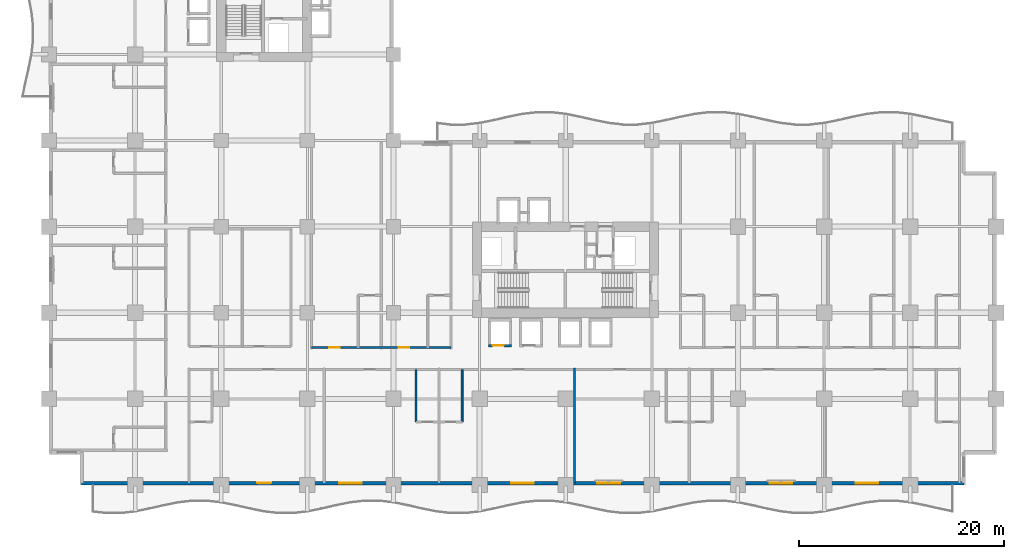
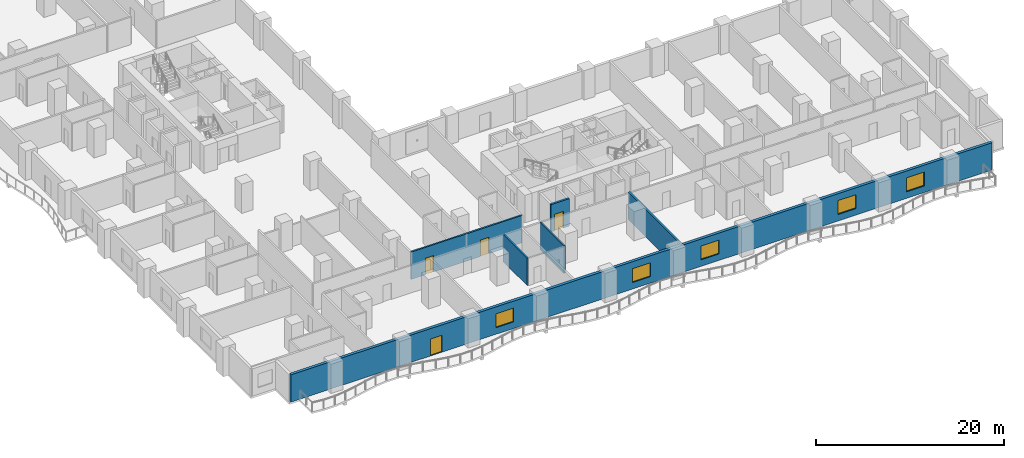
# One storey, part 5 of 22: 6 walls, 5 windows, 4 doors, 9 openings.
"""IFC4 building model written with IfcOpenShell, lengths in metres."""

import ifcopenshell
import ifcopenshell.guid

model = None  # the IFC model being written
_history = None  # IfcOwnerHistory: only IFC2X3 demands one
_inside = {}  # id of a spatial element -> (the spatial element, [elements in it])
_under = {}  # id of a project, library or spatial element -> (it, [spatial elements below it])
_declared = {}  # id of a project -> (the project, [libraries it declares])
_typed = {}  # id of a type object -> (the type object, [elements of that type])
_made_of = {}  # id of a material, layer set ... -> (it, [elements and type objects made of it])


def new_model(schema):
    """Start an empty IFC model of exactly this schema.

    Asked for "IFC4X3", IfcOpenShell would pick the latest addendum, in which some entities
    have other attributes; the version numbers below select the first issue.
    IFC2X3 requires an IfcOwnerHistory on every rooted entity: one is made here for all.
    """
    global model, _history
    if schema == "IFC4X3":
        model = ifcopenshell.file(schema_version=(4, 3, 0, 0))
    else:
        model = ifcopenshell.file(schema=schema)
    _inside.clear()
    _under.clear()
    _declared.clear()
    _typed.clear()
    _made_of.clear()
    _history = None
    if model.schema == "IFC2X3":
        org = make("IfcOrganization", Name="unknown")
        user = make(
            "IfcPersonAndOrganization",
            ThePerson=make("IfcPerson", FamilyName="unknown"),
            TheOrganization=org,
        )
        app = make(
            "IfcApplication",
            ApplicationDeveloper=org,
            Version="unknown",
            ApplicationFullName="unknown",
            ApplicationIdentifier="unknown",
        )
        _history = make(
            "IfcOwnerHistory",
            OwningUser=user,
            OwningApplication=app,
            ChangeAction="ADDED",
            CreationDate=0,
        )
    return model


def make(cls, **values):
    """One entity of the class cls with the attributes given. An attribute that is None is left unset."""
    return model.create_entity(
        cls, **{name: value for name, value in values.items() if value is not None}
    )


def rooted(cls, **values):
    """An entity with a GlobalId (a new one), such as an element, a storey or a relation."""
    return make(cls, GlobalId=ifcopenshell.guid.new(), OwnerHistory=_history, **values)


def si_unit(unit_type, name, prefix=None):
    """IfcSIUnit, for example si_unit("LENGTHUNIT", "METRE", prefix="MILLI")."""
    return make("IfcSIUnit", UnitType=unit_type, Prefix=prefix, Name=name)


def assignment(units):
    """IfcUnitAssignment: the units of a project."""
    return None if units is None else make("IfcUnitAssignment", Units=units)


def point(xyz):
    """IfcCartesianPoint."""
    return None if xyz is None else make("IfcCartesianPoint", Coordinates=xyz)


def direction(xyz):
    """IfcDirection."""
    return None if xyz is None else make("IfcDirection", DirectionRatios=xyz)


def frame(location, z_axis=None, x_axis=None):
    """IfcAxis2Placement3D, a coordinate frame: its origin and axes. An axis left out is left unset."""
    return make(
        "IfcAxis2Placement3D",
        Location=point(location),
        Axis=direction(z_axis),
        RefDirection=direction(x_axis),
    )


def frame_2d(location, x_axis=None):
    """IfcAxis2Placement2D, a coordinate frame in the plane: its origin and x axis."""
    return make(
        "IfcAxis2Placement2D", Location=point(location), RefDirection=direction(x_axis)
    )


def origin():
    """The frame at (0, 0, 0) with its axes left unset."""
    return frame((0.0, 0.0, 0.0))


def place(relative_to, where):
    """IfcLocalPlacement: puts the frame where relative to a parent placement (None: the world)."""
    return make(
        "IfcLocalPlacement", PlacementRelTo=relative_to, RelativePlacement=where
    )


def context(
    kind, dimensions, precision=None, world=None, true_north=None, identifier=None
):
    """IfcGeometricRepresentationContext, for example the 3D "Model" context."""
    return make(
        "IfcGeometricRepresentationContext",
        ContextIdentifier=identifier,
        ContextType=kind,
        CoordinateSpaceDimension=dimensions,
        Precision=precision,
        WorldCoordinateSystem=world,
        TrueNorth=true_north,
    )


def subcontext(parent, identifier, kind, view, scale=None):
    """IfcGeometricRepresentationSubContext, for example "Body" below "Model"."""
    return make(
        "IfcGeometricRepresentationSubContext",
        ContextIdentifier=identifier,
        ContextType=kind,
        ParentContext=parent,
        TargetScale=scale,
        TargetView=view,
    )


def project(units=None, contexts=None):
    """IfcProject with its units and contexts."""
    return rooted(
        "IfcProject",
        Name="project",
        RepresentationContexts=contexts,
        UnitsInContext=assignment(units),
    )


def spatial(cls, under=None, at=None, **own):
    """A site, building, storey or space (cls), placed at a placement, below another one or the project."""
    s = rooted(cls, ObjectPlacement=at, **own)
    if under is not None:
        _under.setdefault(under.id(), (under, []))[1].append(s)
    return s


def profile(cls, at=None, kind="AREA", **sizes):
    """A parametric profile (cls). Its sizes go by their IFC names, for example OverallWidth=200.0."""
    return make(cls, ProfileType=kind, Position=at, **sizes)


def rectangle(**sizes):
    """IfcRectangleProfileDef."""
    return profile("IfcRectangleProfileDef", **sizes)


def extrude(swept, where, along, depth):
    """IfcExtrudedAreaSolid: the profile swept, set in the frame where, extruded along a direction by depth."""
    return make(
        "IfcExtrudedAreaSolid",
        SweptArea=swept,
        Position=where,
        ExtrudedDirection=direction(along),
        Depth=depth,
    )


def shape(context_of_items, identifier, shape_type, items):
    """IfcShapeRepresentation: the items that make up one representation, for example the "Body"."""
    return make(
        "IfcShapeRepresentation",
        ContextOfItems=context_of_items,
        RepresentationIdentifier=identifier,
        RepresentationType=shape_type,
        Items=items,
    )


def material(Name=None, Category=None):
    """IfcMaterial."""
    return make("IfcMaterial", Name=Name, Category=Category)


def layer(
    of_material, thickness, ventilated=None, Name=None, Category=None, Priority=None
):
    """IfcMaterialLayer: one layer of a wall or slab, of a material (None: an air gap)."""
    return make(
        "IfcMaterialLayer",
        Material=of_material,
        LayerThickness=thickness,
        IsVentilated=ventilated,
        Name=Name,
        Category=Category,
        Priority=Priority,
    )


def layer_set(layers, Name=None):
    """IfcMaterialLayerSet."""
    return make("IfcMaterialLayerSet", MaterialLayers=layers, LayerSetName=Name)


def made_of(thing, what):
    """Note that an element or type object is made of a material, layer set ...; save() writes the relation."""
    if what is not None:
        _made_of.setdefault(what.id(), (what, []))[1].append(thing)
    return thing


def type_object(cls, material=None, **own):
    """A type object (cls), such as IfcWallType, which elements share."""
    return made_of(rooted(cls, **own), material)


def element(
    cls,
    number,
    at=None,
    inside=None,
    cuts=None,
    type_object=None,
    material=None,
    context=None,
    identifier="Body",
    shape_type=None,
    held_by="IfcProductDefinitionShape",
    body=None,
    shapes=None,
    **own,
):
    """One element of the class cls, such as IfcWall. Its Tag is "e" and its number.

    at: its placement. inside: the storey or other place that contains it. cuts: it is an
    opening in that element (IfcRelVoidsElement). A single representation is given by context,
    identifier, shape_type and body (its items); several are given by shapes. held_by: the class
    of the entity that holds the representations. save() writes the other relations.
    """
    e = rooted(cls, Tag="e%d" % number, ObjectPlacement=at, **own)
    if body is not None:
        shapes = [shape(context, identifier, shape_type, body)]
    if shapes is not None:
        e.Representation = make(held_by, Representations=shapes)
    if inside is not None:
        _inside.setdefault(inside.id(), (inside, []))[1].append(e)
    if cuts is not None:
        rooted(
            "IfcRelVoidsElement", RelatingBuildingElement=cuts, RelatedOpeningElement=e
        )
    if type_object is not None:
        _typed.setdefault(type_object.id(), (type_object, []))[1].append(e)
    return made_of(e, material)


def fill(opening, filler):
    """IfcRelFillsElement: the door or window that sits in an opening."""
    return rooted(
        "IfcRelFillsElement",
        RelatingOpeningElement=opening,
        RelatedBuildingElement=filler,
    )


def aggregate(whole, parts):
    """IfcRelAggregates: a whole, such as a stair, and the parts it consists of."""
    return rooted("IfcRelAggregates", RelatingObject=whole, RelatedObjects=parts)


def save(model, path):
    """Write the relations noted so far, then the file.

    IfcRelAggregates (storeys below a building ...), IfcRelContainedInSpatialStructure (elements
    in a storey), IfcRelDefinesByType, IfcRelAssociatesMaterial and IfcRelDeclares: one each for
    every whole, place, type object, material and project.
    """
    for whole, parts in _under.values():
        aggregate(whole, parts)
    for where, things in _inside.values():
        rooted(
            "IfcRelContainedInSpatialStructure",
            RelatedElements=things,
            RelatingStructure=where,
        )
    for kind, things in _typed.values():
        rooted("IfcRelDefinesByType", RelatedObjects=things, RelatingType=kind)
    for what, things in _made_of.values():
        rooted("IfcRelAssociatesMaterial", RelatedObjects=things, RelatingMaterial=what)
    for by, libraries in _declared.values():
        rooted("IfcRelDeclares", RelatingContext=by, RelatedDefinitions=libraries)
    model.write(path)


model = new_model("IFC4")

# Units and contexts
model_context = context("Model", 3, precision=1e-05, world=origin(), true_north=direction((0.0, 1.0)))
body_context = subcontext(model_context, "Body", "Model", "MODEL_VIEW")
ifc_project = project(units=[si_unit("LENGTHUNIT", "METRE"), si_unit("AREAUNIT", "SQUARE_METRE"), si_unit("VOLUMEUNIT", "CUBIC_METRE"), si_unit("PLANEANGLEUNIT", "RADIAN"), si_unit("MASSUNIT", "GRAM", prefix="KILO")], contexts=[model_context])

# Site, building, storey
site_placement = place(None, origin())
site = spatial("IfcSite", under=ifc_project, at=site_placement, CompositionType="ELEMENT")
building_placement = place(site_placement, origin())
building = spatial("IfcBuilding", under=site, at=building_placement, Name="Koriwani Terraces Tower", CompositionType="ELEMENT")
storey_placement = place(building_placement, frame((0.0, 0.0, 51.0)))
storey = spatial("IfcBuildingStorey", under=building, at=storey_placement, Name="L11", CompositionType="ELEMENT", Elevation=51.0)

# Wall, openings, doors
ifc_material_1 = material(Name="Autoclaved Cellular Concrete Blockwork", Category="masonry")
ifc_layer_1 = layer(ifc_material_1, 0.199951171875, Name="Autoclaved Cellular Concrete Blockwork")
ifc_layer_set_1 = layer_set([ifc_layer_1], Name="Autoclaved Cellular Concrete Blockwork")
wall_type_1 = type_object("IfcWallType", Name="WALL_CORRIDOR_200", PredefinedType="PARTITIONING", material=ifc_layer_set_1)
wall_1_placement = place(storey_placement, frame((25.60009765625, 13.39990234375, 0.0), z_axis=(0.0, 0.0, 1.0), x_axis=(1.0, 0.0, 0.0)))
wall_1 = element("IfcWall", 1, at=wall_1_placement, inside=storey, type_object=wall_type_1, Name="L11 Interior Wall WCOR-L11-SWI-0", PredefinedType="PARTITIONING", context=body_context, shape_type="SweptSolid", body=[
    extrude(rectangle(XDim=13.599853515625, YDim=0.199951171875, at=frame_2d((6.7998046875, 0.0))), origin(), (0.0, 0.0, 1.0), 3.550048828125),
])
opening_1_placement = place(wall_1_placement, frame((1.735107421875, 0.0, 0.0)))
opening_1 = element("IfcOpeningElement", 2, at=opening_1_placement, cuts=wall_1, Name="Opening D-05", PredefinedType="OPENING", context=body_context, shape_type="SweptSolid", body=[
    extrude(rectangle(XDim=1.0, YDim=2.14990234375, at=frame_2d((0.5, 1.074951171875))), frame((0.0, 0.10986328125, 0.0), z_axis=(0.0, -1.0, 0.0), x_axis=(1.0, 0.0, 0.0)), (0.0, 0.0, 1.0), 0.219970703125),
])
opening_2_placement = place(wall_1_placement, frame((8.534912109375, 0.0, 0.0)))
opening_2 = element("IfcOpeningElement", 3, at=opening_2_placement, cuts=wall_1, Name="Opening D-05", PredefinedType="OPENING", context=body_context, shape_type="SweptSolid", body=[
    extrude(rectangle(XDim=1.0, YDim=2.14990234375, at=frame_2d((0.5, 1.074951171875))), frame((0.0, 0.10986328125, 0.0), z_axis=(0.0, -1.0, 0.0), x_axis=(1.0, 0.0, 0.0)), (0.0, 0.0, 1.0), 0.219970703125),
])
ifc_material_2 = material(Name="Architectural Oak Fire Door", Category="wood")
door_type_1 = type_object("IfcDoorType", Name="DOOR_SUITE_ENTRY_1000X2150", OperationType="NOTDEFINED", PredefinedType="DOOR", material=ifc_material_2)
door_1_placement = place(opening_1_placement, origin())
door_1 = element("IfcDoor", 4, at=door_1_placement, inside=storey, type_object=door_type_1, Name="Luxury Hotel Suite 11SWI1 Entrance Door", OperationType="SINGLE_SWING_LEFT", OverallHeight=2.14990234375, OverallWidth=1.0, PredefinedType="DOOR", context=body_context, shape_type="SweptSolid", body=[
    extrude(rectangle(XDim=1.0, YDim=2.14990234375, at=frame_2d((0.5, 1.074951171875))), frame((0.0, 0.02490234375, 0.0), z_axis=(0.0, -1.0, 0.0), x_axis=(1.0, 0.0, 0.0)), (0.0, 0.0, 1.0), 0.050048828125),
])
fill(opening_1, door_1)
door_2_placement = place(opening_2_placement, origin())
door_2 = element("IfcDoor", 5, at=door_2_placement, inside=storey, type_object=door_type_1, Name="Luxury Hotel Suite 11SWI2 Entrance Door", OperationType="SINGLE_SWING_LEFT", OverallHeight=2.14990234375, OverallWidth=1.0, PredefinedType="DOOR", context=body_context, shape_type="SweptSolid", body=[
    extrude(rectangle(XDim=1.0, YDim=2.14990234375, at=frame_2d((0.5, 1.074951171875))), frame((0.0, 0.02490234375, 0.0), z_axis=(0.0, -1.0, 0.0), x_axis=(1.0, 0.0, 0.0)), (0.0, 0.0, 1.0), 0.050048828125),
])
fill(opening_2, door_2)

# Wall
ifc_layer_2 = layer(ifc_material_1, 0.219970703125, Name="Autoclaved Cellular Concrete Blockwork")
ifc_layer_set_2 = layer_set([ifc_layer_2], Name="Autoclaved Cellular Concrete Blockwork")
wall_type_2 = type_object("IfcWallType", Name="WALL_DEMISING_220", PredefinedType="PARTITIONING", material=ifc_layer_set_2)
wall_2_placement = place(storey_placement, frame((51.25, 0.199951171875, 0.0), z_axis=(0.0, 0.0, 1.0), x_axis=(0.0, 1.0, 0.0)))
element("IfcWall", 6, at=wall_2_placement, inside=storey, type_object=wall_type_2, Name="L11 Interior Wall WDEM-L11-SW-3", PredefinedType="PARTITIONING", context=body_context, shape_type="SweptSolid", body=[
    extrude(rectangle(XDim=11.22998046875, YDim=0.219970703125, at=frame_2d((5.614990234375, 0.0))), origin(), (0.0, 0.0, 1.0), 3.550048828125),
])

# Wall, openings, door, windows
ifc_material_3 = material(Name="Concrete C50/60", Category="concrete")
ifc_layer_3 = layer(ifc_material_3, 0.35009765625, Name="Concrete C50/60")
ifc_layer_set_3 = layer_set([ifc_layer_3], Name="Concrete C50/60")
wall_type_3 = type_object("IfcWallType", Name="WALL_EXT_BRUTALIST_350", PredefinedType="STANDARD", material=ifc_layer_set_3)
wall_3_placement = place(storey_placement, frame((89.22509765625, 0.175048828125, 0.0), z_axis=(0.0, 0.0, 1.0), x_axis=(-1.0, 0.0, 0.0)))
wall_3 = element("IfcWall", 7, at=wall_3_placement, inside=storey, type_object=wall_type_3, Name="L11 Fair-Faced Brutalist Exterior Wall (S)", PredefinedType="STANDARD", context=body_context, shape_type="SweptSolid", body=[
    extrude(rectangle(XDim=86.050048828125, YDim=0.35009765625, at=frame_2d((43.02490234375, 0.0))), origin(), (0.0, 0.0, 1.0), 3.550048828125),
])
opening_3_placement = place(wall_3_placement, frame((67.52490234375, 0.0, 0.0)))
opening_3 = element("IfcOpeningElement", 8, at=opening_3_placement, cuts=wall_3, Name="Opening D-09", PredefinedType="OPENING", context=body_context, shape_type="SweptSolid", body=[
    extrude(rectangle(XDim=1.39990234375, YDim=2.199951171875, at=frame_2d((0.699951171875, 1.10009765625))), frame((0.0, 0.18505859375, 0.0), z_axis=(0.0, -1.0, 0.0), x_axis=(1.0, 0.0, 0.0)), (0.0, 0.0, 1.0), 0.3701171875),
])
opening_4_placement = place(wall_3_placement, frame((58.72509765625, 0.0, 0.85009765625)))
opening_4 = element("IfcOpeningElement", 9, at=opening_4_placement, cuts=wall_3, Name="Opening W-01", PredefinedType="OPENING", context=body_context, shape_type="SweptSolid", body=[
    extrude(rectangle(XDim=2.199951171875, YDim=1.800048828125, at=frame_2d((1.10009765625, 0.89990234375))), frame((0.0, 0.18505859375, 0.0), z_axis=(0.0, -1.0, 0.0), x_axis=(1.0, 0.0, 0.0)), (0.0, 0.0, 1.0), 0.3701171875),
])
opening_5_placement = place(wall_3_placement, frame((41.925048828125, 0.0, 0.85009765625)))
opening_5 = element("IfcOpeningElement", 10, at=opening_5_placement, cuts=wall_3, Name="Opening W-01", PredefinedType="OPENING", context=body_context, shape_type="SweptSolid", body=[
    extrude(rectangle(XDim=2.199951171875, YDim=1.800048828125, at=frame_2d((1.10009765625, 0.89990234375))), frame((0.0, 0.18505859375, 0.0), z_axis=(0.0, -1.0, 0.0), x_axis=(1.0, 0.0, 0.0)), (0.0, 0.0, 1.0), 0.3701171875),
])
opening_6_placement = place(wall_3_placement, frame((33.52490234375, 0.0, 0.85009765625)))
opening_6 = element("IfcOpeningElement", 11, at=opening_6_placement, cuts=wall_3, Name="Opening W-01", PredefinedType="OPENING", context=body_context, shape_type="SweptSolid", body=[
    extrude(rectangle(XDim=2.199951171875, YDim=1.800048828125, at=frame_2d((1.10009765625, 0.89990234375))), frame((0.0, 0.18505859375, 0.0), z_axis=(0.0, -1.0, 0.0), x_axis=(1.0, 0.0, 0.0)), (0.0, 0.0, 1.0), 0.3701171875),
])
opening_7_placement = place(wall_3_placement, frame((16.72509765625, 0.0, 0.85009765625)))
opening_7 = element("IfcOpeningElement", 12, at=opening_7_placement, cuts=wall_3, Name="Opening W-01", PredefinedType="OPENING", context=body_context, shape_type="SweptSolid", body=[
    extrude(rectangle(XDim=2.199951171875, YDim=1.800048828125, at=frame_2d((1.10009765625, 0.89990234375))), frame((0.0, 0.18505859375, 0.0), z_axis=(0.0, -1.0, 0.0), x_axis=(1.0, 0.0, 0.0)), (0.0, 0.0, 1.0), 0.3701171875),
])
opening_8_placement = place(wall_3_placement, frame((8.324951171875, 0.0, 0.85009765625)))
opening_8 = element("IfcOpeningElement", 13, at=opening_8_placement, cuts=wall_3, Name="Opening W-01", PredefinedType="OPENING", context=body_context, shape_type="SweptSolid", body=[
    extrude(rectangle(XDim=2.199951171875, YDim=1.800048828125, at=frame_2d((1.10009765625, 0.89990234375))), frame((0.0, 0.18505859375, 0.0), z_axis=(0.0, -1.0, 0.0), x_axis=(1.0, 0.0, 0.0)), (0.0, 0.0, 1.0), 0.3701171875),
])
ifc_material_4 = material(Name="Anodised Bronze Aluminium", Category="aluminium")
door_type_2 = type_object("IfcDoorType", Name="DOOR_BALCONY_GLAZED_1400X2200", OperationType="NOTDEFINED", PredefinedType="DOOR", material=ifc_material_4)
door_3_placement = place(opening_3_placement, origin())
door_3 = element("IfcDoor", 14, at=door_3_placement, inside=storey, type_object=door_type_2, Name="L11 South Balcony Glazed Door", OperationType="SINGLE_SWING_LEFT", OverallHeight=2.199951171875, OverallWidth=1.39990234375, PredefinedType="DOOR", context=body_context, shape_type="SweptSolid", body=[
    extrude(rectangle(XDim=1.39990234375, YDim=2.199951171875, at=frame_2d((0.699951171875, 1.10009765625))), frame((0.0, 0.02490234375, 0.0), z_axis=(0.0, -1.0, 0.0), x_axis=(1.0, 0.0, 0.0)), (0.0, 0.0, 1.0), 0.050048828125),
])
fill(opening_3, door_3)
ifc_material_5 = material(Name="Tempered Laminated Low-E Glass", Category="glass")
window_type = type_object("IfcWindowType", Name="WIN_HOTEL_STD_2200X1800", PartitioningType="DOUBLE_PANEL_VERTICAL", PredefinedType="WINDOW", material=ifc_material_5)
window_1_placement = place(opening_4_placement, origin())
window_1 = element("IfcWindow", 15, at=window_1_placement, inside=storey, type_object=window_type, Name="L11 Exterior Window (S-9)", OverallHeight=1.800048828125, OverallWidth=2.199951171875, PartitioningType="SINGLE_PANEL", PredefinedType="WINDOW", context=body_context, shape_type="SweptSolid", body=[
    extrude(rectangle(XDim=2.199951171875, YDim=1.800048828125, at=frame_2d((1.10009765625, 0.89990234375))), frame((0.0, 0.030029296875, 0.0), z_axis=(0.0, -1.0, 0.0), x_axis=(1.0, 0.0, 0.0)), (0.0, 0.0, 1.0), 0.06005859375),
])
fill(opening_4, window_1)
window_2_placement = place(opening_5_placement, origin())
window_2 = element("IfcWindow", 16, at=window_2_placement, inside=storey, type_object=window_type, Name="L11 Exterior Window (S-15)", OverallHeight=1.800048828125, OverallWidth=2.199951171875, PartitioningType="SINGLE_PANEL", PredefinedType="WINDOW", context=body_context, shape_type="SweptSolid", body=[
    extrude(rectangle(XDim=2.199951171875, YDim=1.800048828125, at=frame_2d((1.10009765625, 0.89990234375))), frame((0.0, 0.030029296875, 0.0), z_axis=(0.0, -1.0, 0.0), x_axis=(1.0, 0.0, 0.0)), (0.0, 0.0, 1.0), 0.06005859375),
])
fill(opening_5, window_2)
window_3_placement = place(opening_6_placement, origin())
window_3 = element("IfcWindow", 17, at=window_3_placement, inside=storey, type_object=window_type, Name="L11 Exterior Window (S-18)", OverallHeight=1.800048828125, OverallWidth=2.199951171875, PartitioningType="SINGLE_PANEL", PredefinedType="WINDOW", context=body_context, shape_type="SweptSolid", body=[
    extrude(rectangle(XDim=2.199951171875, YDim=1.800048828125, at=frame_2d((1.10009765625, 0.89990234375))), frame((0.0, 0.030029296875, 0.0), z_axis=(0.0, -1.0, 0.0), x_axis=(1.0, 0.0, 0.0)), (0.0, 0.0, 1.0), 0.06005859375),
])
fill(opening_6, window_3)
window_4_placement = place(opening_7_placement, origin())
window_4 = element("IfcWindow", 18, at=window_4_placement, inside=storey, type_object=window_type, Name="L11 Exterior Window (S-24)", OverallHeight=1.800048828125, OverallWidth=2.199951171875, PartitioningType="SINGLE_PANEL", PredefinedType="WINDOW", context=body_context, shape_type="SweptSolid", body=[
    extrude(rectangle(XDim=2.199951171875, YDim=1.800048828125, at=frame_2d((1.10009765625, 0.89990234375))), frame((0.0, 0.030029296875, 0.0), z_axis=(0.0, -1.0, 0.0), x_axis=(1.0, 0.0, 0.0)), (0.0, 0.0, 1.0), 0.06005859375),
])
fill(opening_7, window_4)
window_5_placement = place(opening_8_placement, origin())
window_5 = element("IfcWindow", 19, at=window_5_placement, inside=storey, type_object=window_type, Name="L11 Exterior Window (S-27)", OverallHeight=1.800048828125, OverallWidth=2.199951171875, PartitioningType="SINGLE_PANEL", PredefinedType="WINDOW", context=body_context, shape_type="SweptSolid", body=[
    extrude(rectangle(XDim=2.199951171875, YDim=1.800048828125, at=frame_2d((1.10009765625, 0.89990234375))), frame((0.0, 0.030029296875, 0.0), z_axis=(0.0, -1.0, 0.0), x_axis=(1.0, 0.0, 0.0)), (0.0, 0.0, 1.0), 0.06005859375),
])
fill(opening_8, window_5)

# Walls
ifc_material_6 = material(Name="Fire-Rated Acoustic Gypsum Partition", Category="masonry")
ifc_layer_4 = layer(ifc_material_6, 0.179931640625, Name="Fire-Rated Acoustic Gypsum Partition")
ifc_layer_set_4 = layer_set([ifc_layer_4], Name="Fire-Rated Acoustic Gypsum Partition")
wall_type_4 = type_object("IfcWallType", Name="WALL_PLUMBING_180", PredefinedType="PLUMBINGWALL", material=ifc_layer_set_4)
for number, where, z_axis, x_axis, name in (
    (20, (35.800048828125, 6.14990234375, 0.0), (0.0, 0.0, 1.0), (0.0, 1.0, 0.0), "L11 Interior Wall WBTH2-L11-SW-1"),
    (21, (40.300048828125, 6.14990234375, 0.0), (0.0, 0.0, 1.0), (0.0, 1.0, 0.0), "L11 Interior Wall WBTH2-L11-SW-2"),
):
    element("IfcWall", number, at=place(storey_placement, frame(where, z_axis=z_axis, x_axis=x_axis)), inside=storey, type_object=wall_type_4, Name=name, PredefinedType="PLUMBINGWALL", context=body_context, shape_type="SweptSolid", body=[
        extrude(rectangle(XDim=5.10009765625, YDim=0.179931640625, at=frame_2d((2.550048828125, 0.0))), origin(), (0.0, 0.0, 1.0), 3.550048828125),
    ])

# Wall, opening, door
ifc_material_7 = material(Name="Concrete C40/50", Category="concrete")
ifc_layer_5 = layer(ifc_material_7, 0.25, Name="Concrete C40/50")
ifc_layer_set_5 = layer_set([ifc_layer_5], Name="Concrete C40/50")
wall_type_5 = type_object("IfcWallType", Name="WALL_SHAFT_RATED_250", PredefinedType="SOLIDWALL", material=ifc_layer_set_5)
wall_4_placement = place(storey_placement, frame((42.875, 13.60009765625, 0.0), z_axis=(0.0, 0.0, 1.0), x_axis=(1.0, 0.0, 0.0)))
wall_4 = element("IfcWall", 22, at=wall_4_placement, inside=storey, type_object=wall_type_5, Name="L11 Interior Wall WIN-LF-PE-L3-L11-F", PredefinedType="SOLIDWALL", context=body_context, shape_type="SweptSolid", body=[
    extrude(rectangle(XDim=2.25, YDim=0.25, at=frame_2d((1.125, 0.0))), origin(), (0.0, 0.0, 1.0), 3.550048828125),
])
opening_9_placement = place(wall_4_placement, frame((0.39990234375, 0.0, 0.0)))
opening_9 = element("IfcOpeningElement", 23, at=opening_9_placement, cuts=wall_4, Name="Opening LD-01", PredefinedType="OPENING", context=body_context, shape_type="SweptSolid", body=[
    extrude(rectangle(XDim=1.10009765625, YDim=2.14990234375, at=frame_2d((0.550048828125, 1.074951171875))), frame((0.0, 0.135009765625, 0.0), z_axis=(0.0, -1.0, 0.0), x_axis=(1.0, 0.0, 0.0)), (0.0, 0.0, 1.0), 0.27001953125),
])
ifc_material_8 = material(Name="Steel ASTM A572 Grade 50", Category="steel")
door_type_3 = type_object("IfcDoorType", Name="DOOR_LIFT_LANDING_1100X2200", OperationType="NOTDEFINED", PredefinedType="DOOR", material=ifc_material_8)
door_4_placement = place(opening_9_placement, origin())
door_4 = element("IfcDoor", 24, at=door_4_placement, inside=storey, type_object=door_type_3, Name="L11 Passenger Lift PE-L3 Landing Door", OperationType="SLIDING_TO_LEFT", OverallHeight=2.14990234375, OverallWidth=1.10009765625, PredefinedType="DOOR", context=body_context, shape_type="SweptSolid", body=[
    extrude(rectangle(XDim=1.10009765625, YDim=2.14990234375, at=frame_2d((0.550048828125, 1.074951171875))), frame((0.0, 0.02490234375, 0.0), z_axis=(0.0, -1.0, 0.0), x_axis=(1.0, 0.0, 0.0)), (0.0, 0.0, 1.0), 0.050048828125),
])
fill(opening_9, door_4)

save(model, "model.ifc")
